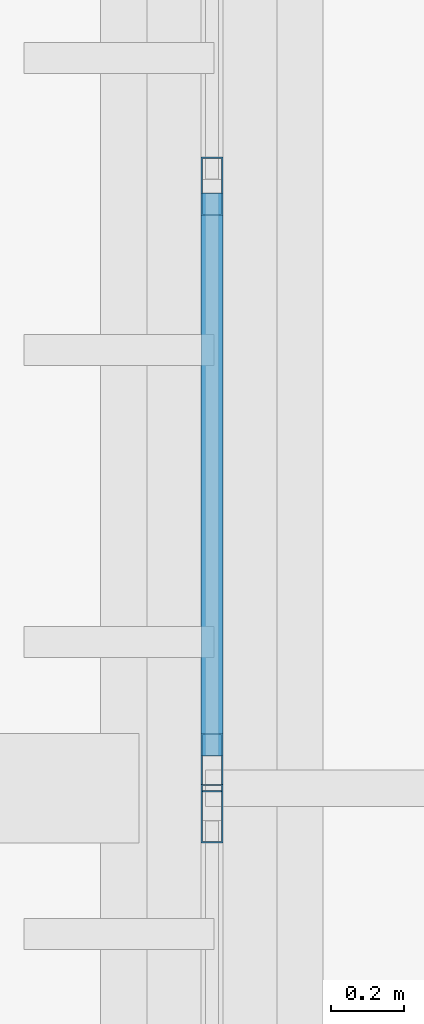
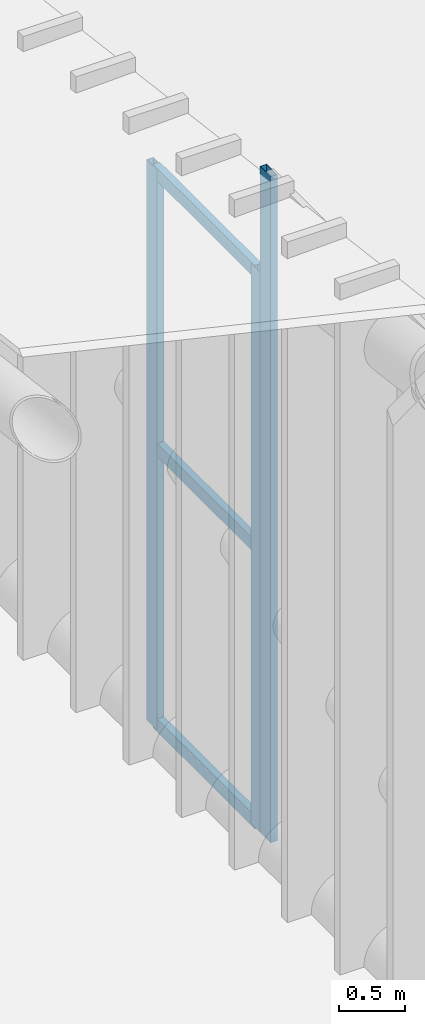
# One storey, part 195 of 397: 6 members, 2 elements without a shape of their own.
"""IFC4 building model written with IfcOpenShell, lengths in metres."""

from ifc_helpers import new_model, si_unit, direction, frame, origin, origin_2d, place, context, subcontext, project, spatial, hollow_rectangle, extrude, material, material_profile, profile_set, type_object, element, aggregate, save


model = new_model("IFC4")

# Units and contexts
model_context = context("Model", 3, precision=1e-05, world=origin(), true_north=direction((0.0, 1.0)))
body_context = subcontext(model_context, "Body", "Model", "MODEL_VIEW")
ifc_project = project(units=[si_unit("LENGTHUNIT", "METRE"), si_unit("AREAUNIT", "SQUARE_METRE"), si_unit("VOLUMEUNIT", "CUBIC_METRE"), si_unit("PLANEANGLEUNIT", "RADIAN"), si_unit("MASSUNIT", "GRAM", prefix="KILO")], contexts=[model_context])

# Site, building, storey
site_placement = place(None, origin())
site = spatial("IfcSite", under=ifc_project, at=site_placement, CompositionType="ELEMENT")
building_placement = place(site_placement, origin())
building = spatial("IfcBuilding", under=site, at=building_placement, Name="Qandorah Velis Arena", CompositionType="ELEMENT")
storey_placement = place(building_placement, frame((0.0, 0.0, 27.5)))
storey = spatial("IfcBuildingStorey", under=building, at=storey_placement, Name="RF", CompositionType="ELEMENT", Elevation=27.5)

# Curtain wall, member
ifc_material_1 = material(Name="Solar-control low-E double glazing", Category="glass")
curtain_wall_type_1 = type_object("IfcCurtainWallType", Name="ARC-CW-SYS06", PredefinedType="USERDEFINED", material=ifc_material_1)
curtain_wall_1_placement = place(storey_placement, origin())
curtain_wall_1 = element("IfcCurtainWall", 1, at=curtain_wall_1_placement, inside=storey, type_object=curtain_wall_type_1, Name="Unitised curtain wall CROWN-1-06S1", ObjectType="UNITISED CURTAIN WALL", PredefinedType="USERDEFINED")
ifc_material_2 = material(Name="Champagne-bronze anodized aluminium 6063-T6", Category="aluminium")
ifc_material_profile_1 = material_profile(ifc_material_2, hollow_rectangle(XDim=0.06005859375, YDim=0.159912109375, WallThickness=0.00341796875, at=origin_2d()), Name="ALU MULLION 60x160")
ifc_profile_set_1 = profile_set([ifc_material_profile_1], Name="Champagne-bronze anodized aluminium 6063-T6")
member_type_1 = type_object("IfcMemberType", Name="ARC-CWM-160", PredefinedType="MULLION", material=ifc_profile_set_1)
member_1_placement = place(storey_placement, frame((14.39990234375, 93.530029296875, -0.014892578125), z_axis=(0.0, 0.0, 1.0), x_axis=(-1.0, 0.0, 0.0)))
member_1 = element("IfcMember", 2, at=member_1_placement, type_object=member_type_1, Name="CW06 mullion 5", PredefinedType="MULLION", context=body_context, shape_type="SweptSolid", body=[
    extrude(hollow_rectangle(XDim=0.06005859375, YDim=0.159912109375, WallThickness=0.00341796875, at=origin_2d()), origin(), (0.0, 0.0, 1.0), 6.159423828125),
])
aggregate(curtain_wall_1, [member_1])

# Curtain wall, members
curtain_wall_type_2 = type_object("IfcCurtainWallType", Name="ARC-CW-SYS07", PredefinedType="USERDEFINED", material=ifc_material_1)
curtain_wall_2_placement = place(storey_placement, origin())
curtain_wall_2 = element("IfcCurtainWall", 3, at=curtain_wall_2_placement, inside=storey, type_object=curtain_wall_type_2, Name="Unitised curtain wall CROWN-1-06S2", ObjectType="UNITISED CURTAIN WALL", PredefinedType="USERDEFINED")
member_2_placement = place(storey_placement, frame((14.39990234375, 93.669921875, -0.014892578125), z_axis=(0.0, 0.0, 1.0), x_axis=(-1.0, 0.0, 0.0)))
member_2 = element("IfcMember", 4, at=member_2_placement, type_object=member_type_1, Name="CW07 mullion 1", PredefinedType="MULLION", context=body_context, shape_type="SweptSolid", body=[
    extrude(hollow_rectangle(XDim=0.06005859375, YDim=0.159912109375, WallThickness=0.00341796875, at=origin_2d()), origin(), (0.0, 0.0, 1.0), 5.180908203125),
])
member_3_placement = place(storey_placement, frame((14.39990234375, 95.248779296875, -0.014892578125), z_axis=(0.0, 0.0, 1.0), x_axis=(-1.0, 0.0, 0.0)))
member_3 = element("IfcMember", 5, at=member_3_placement, type_object=member_type_1, Name="CW07 mullion 2", PredefinedType="MULLION", context=body_context, shape_type="SweptSolid", body=[
    extrude(hollow_rectangle(XDim=0.06005859375, YDim=0.159912109375, WallThickness=0.00341796875, at=origin_2d()), origin(), (0.0, 0.0, 1.0), 5.180908203125),
])
ifc_material_profile_2 = material_profile(ifc_material_2, hollow_rectangle(XDim=0.06005859375, YDim=0.1201171875, WallThickness=0.0029296875, at=origin_2d()), Name="ALU TRANSOM 60x120")
ifc_profile_set_2 = profile_set([ifc_material_profile_2], Name="Champagne-bronze anodized aluminium 6063-T6")
member_type_2 = type_object("IfcMemberType", Name="ARC-CWT-120", PredefinedType="USERDEFINED", material=ifc_profile_set_2)
member_4_placement = place(storey_placement, frame((14.39990234375, 93.68798828125, 0.030029296875), z_axis=(0.0, 1.0, 0.0), x_axis=(-1.0, 0.0, 0.0)))
member_4 = element("IfcMember", 6, at=member_4_placement, type_object=member_type_2, Name="CW07 transom 1.1", ObjectType="TRANSOM", PredefinedType="USERDEFINED", context=body_context, shape_type="SweptSolid", body=[
    extrude(hollow_rectangle(XDim=0.06005859375, YDim=0.1201171875, WallThickness=0.0029296875, at=origin_2d()), origin(), (0.0, 0.0, 1.0), 1.542724609375),
])
member_5_placement = place(storey_placement, frame((14.39990234375, 93.68798828125, 2.575439453125), z_axis=(0.0, 1.0, 0.0), x_axis=(-1.0, 0.0, 0.0)))
member_5 = element("IfcMember", 7, at=member_5_placement, type_object=member_type_2, Name="CW07 transom 1.2", ObjectType="TRANSOM", PredefinedType="USERDEFINED", context=body_context, shape_type="SweptSolid", body=[
    extrude(hollow_rectangle(XDim=0.06005859375, YDim=0.1201171875, WallThickness=0.0029296875, at=origin_2d()), origin(), (0.0, 0.0, 1.0), 1.542724609375),
])
member_6_placement = place(storey_placement, frame((14.39990234375, 93.68798828125, 5.12109375), z_axis=(0.0, 1.0, 0.0), x_axis=(-1.0, 0.0, 0.0)))
member_6 = element("IfcMember", 8, at=member_6_placement, type_object=member_type_2, Name="CW07 transom 1.3", ObjectType="TRANSOM", PredefinedType="USERDEFINED", context=body_context, shape_type="SweptSolid", body=[
    extrude(hollow_rectangle(XDim=0.06005859375, YDim=0.1201171875, WallThickness=0.0029296875, at=origin_2d()), origin(), (0.0, 0.0, 1.0), 1.542724609375),
])
aggregate(curtain_wall_2, [member_2, member_3, member_4, member_5, member_6])

save(model, "model.ifc")
